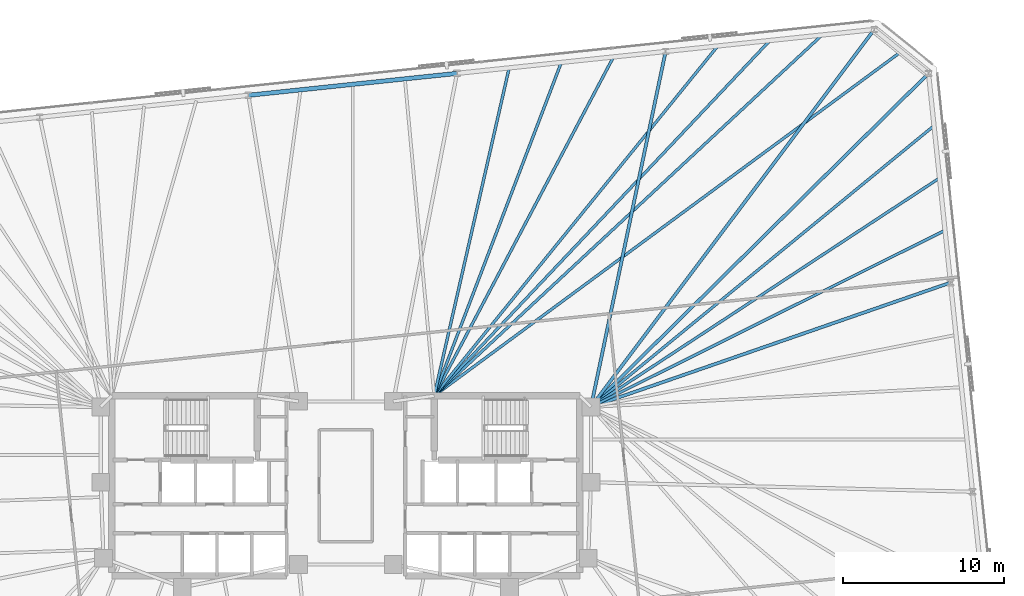
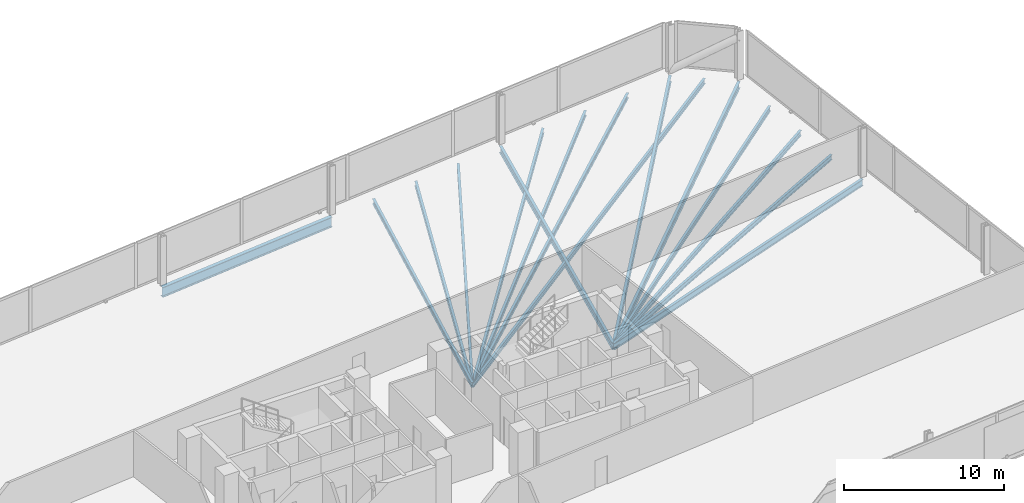
# One storey, part 10 of 17: 15 beams.
"""IFC4 building model written with IfcOpenShell, lengths in metres."""

import ifcopenshell
import ifcopenshell.guid

model = None  # the IFC model being written
_history = None  # IfcOwnerHistory: only IFC2X3 demands one
_inside = {}  # id of a spatial element -> (the spatial element, [elements in it])
_under = {}  # id of a project, library or spatial element -> (it, [spatial elements below it])
_declared = {}  # id of a project -> (the project, [libraries it declares])
_typed = {}  # id of a type object -> (the type object, [elements of that type])
_made_of = {}  # id of a material, layer set ... -> (it, [elements and type objects made of it])


def new_model(schema):
    """Start an empty IFC model of exactly this schema.

    Asked for "IFC4X3", IfcOpenShell would pick the latest addendum, in which some entities
    have other attributes; the version numbers below select the first issue.
    IFC2X3 requires an IfcOwnerHistory on every rooted entity: one is made here for all.
    """
    global model, _history
    if schema == "IFC4X3":
        model = ifcopenshell.file(schema_version=(4, 3, 0, 0))
    else:
        model = ifcopenshell.file(schema=schema)
    _inside.clear()
    _under.clear()
    _declared.clear()
    _typed.clear()
    _made_of.clear()
    _history = None
    if model.schema == "IFC2X3":
        org = make("IfcOrganization", Name="unknown")
        user = make(
            "IfcPersonAndOrganization",
            ThePerson=make("IfcPerson", FamilyName="unknown"),
            TheOrganization=org,
        )
        app = make(
            "IfcApplication",
            ApplicationDeveloper=org,
            Version="unknown",
            ApplicationFullName="unknown",
            ApplicationIdentifier="unknown",
        )
        _history = make(
            "IfcOwnerHistory",
            OwningUser=user,
            OwningApplication=app,
            ChangeAction="ADDED",
            CreationDate=0,
        )
    return model


def make(cls, **values):
    """One entity of the class cls with the attributes given. An attribute that is None is left unset."""
    return model.create_entity(
        cls, **{name: value for name, value in values.items() if value is not None}
    )


def rooted(cls, **values):
    """An entity with a GlobalId (a new one), such as an element, a storey or a relation."""
    return make(cls, GlobalId=ifcopenshell.guid.new(), OwnerHistory=_history, **values)


def si_unit(unit_type, name, prefix=None):
    """IfcSIUnit, for example si_unit("LENGTHUNIT", "METRE", prefix="MILLI")."""
    return make("IfcSIUnit", UnitType=unit_type, Prefix=prefix, Name=name)


def assignment(units):
    """IfcUnitAssignment: the units of a project."""
    return None if units is None else make("IfcUnitAssignment", Units=units)


def point(xyz):
    """IfcCartesianPoint."""
    return None if xyz is None else make("IfcCartesianPoint", Coordinates=xyz)


def direction(xyz):
    """IfcDirection."""
    return None if xyz is None else make("IfcDirection", DirectionRatios=xyz)


def frame(location, z_axis=None, x_axis=None):
    """IfcAxis2Placement3D, a coordinate frame: its origin and axes. An axis left out is left unset."""
    return make(
        "IfcAxis2Placement3D",
        Location=point(location),
        Axis=direction(z_axis),
        RefDirection=direction(x_axis),
    )


def frame_2d(location, x_axis=None):
    """IfcAxis2Placement2D, a coordinate frame in the plane: its origin and x axis."""
    return make(
        "IfcAxis2Placement2D", Location=point(location), RefDirection=direction(x_axis)
    )


def origin():
    """The frame at (0, 0, 0) with its axes left unset."""
    return frame((0.0, 0.0, 0.0))


def origin_2d():
    """The frame at (0, 0) in the plane with its x axis left unset."""
    return frame_2d((0.0, 0.0))


def place(relative_to, where):
    """IfcLocalPlacement: puts the frame where relative to a parent placement (None: the world)."""
    return make(
        "IfcLocalPlacement", PlacementRelTo=relative_to, RelativePlacement=where
    )


def context(
    kind, dimensions, precision=None, world=None, true_north=None, identifier=None
):
    """IfcGeometricRepresentationContext, for example the 3D "Model" context."""
    return make(
        "IfcGeometricRepresentationContext",
        ContextIdentifier=identifier,
        ContextType=kind,
        CoordinateSpaceDimension=dimensions,
        Precision=precision,
        WorldCoordinateSystem=world,
        TrueNorth=true_north,
    )


def subcontext(parent, identifier, kind, view, scale=None):
    """IfcGeometricRepresentationSubContext, for example "Body" below "Model"."""
    return make(
        "IfcGeometricRepresentationSubContext",
        ContextIdentifier=identifier,
        ContextType=kind,
        ParentContext=parent,
        TargetScale=scale,
        TargetView=view,
    )


def project(units=None, contexts=None):
    """IfcProject with its units and contexts."""
    return rooted(
        "IfcProject",
        Name="project",
        RepresentationContexts=contexts,
        UnitsInContext=assignment(units),
    )


def spatial(cls, under=None, at=None, **own):
    """A site, building, storey or space (cls), placed at a placement, below another one or the project."""
    s = rooted(cls, ObjectPlacement=at, **own)
    if under is not None:
        _under.setdefault(under.id(), (under, []))[1].append(s)
    return s


def profile(cls, at=None, kind="AREA", **sizes):
    """A parametric profile (cls). Its sizes go by their IFC names, for example OverallWidth=200.0."""
    return make(cls, ProfileType=kind, Position=at, **sizes)


def i_section(**sizes):
    """IfcIShapeProfileDef."""
    return profile("IfcIShapeProfileDef", **sizes)


def extrude(swept, where, along, depth):
    """IfcExtrudedAreaSolid: the profile swept, set in the frame where, extruded along a direction by depth."""
    return make(
        "IfcExtrudedAreaSolid",
        SweptArea=swept,
        Position=where,
        ExtrudedDirection=direction(along),
        Depth=depth,
    )


def shape(context_of_items, identifier, shape_type, items):
    """IfcShapeRepresentation: the items that make up one representation, for example the "Body"."""
    return make(
        "IfcShapeRepresentation",
        ContextOfItems=context_of_items,
        RepresentationIdentifier=identifier,
        RepresentationType=shape_type,
        Items=items,
    )


def material(Name=None, Category=None):
    """IfcMaterial."""
    return make("IfcMaterial", Name=Name, Category=Category)


def material_profile(
    of_material, cross_section, Name=None, Category=None, Priority=None
):
    """IfcMaterialProfile: a cross section and its material."""
    return make(
        "IfcMaterialProfile",
        Name=Name,
        Material=of_material,
        Profile=cross_section,
        Priority=Priority,
        Category=Category,
    )


def profile_set(profiles, Name=None, composite=None):
    """IfcMaterialProfileSet."""
    return make(
        "IfcMaterialProfileSet",
        Name=Name,
        MaterialProfiles=profiles,
        CompositeProfile=composite,
    )


def made_of(thing, what):
    """Note that an element or type object is made of a material, layer set ...; save() writes the relation."""
    if what is not None:
        _made_of.setdefault(what.id(), (what, []))[1].append(thing)
    return thing


def type_object(cls, material=None, **own):
    """A type object (cls), such as IfcWallType, which elements share."""
    return made_of(rooted(cls, **own), material)


def element(
    cls,
    number,
    at=None,
    inside=None,
    cuts=None,
    type_object=None,
    material=None,
    context=None,
    identifier="Body",
    shape_type=None,
    held_by="IfcProductDefinitionShape",
    body=None,
    shapes=None,
    **own,
):
    """One element of the class cls, such as IfcWall. Its Tag is "e" and its number.

    at: its placement. inside: the storey or other place that contains it. cuts: it is an
    opening in that element (IfcRelVoidsElement). A single representation is given by context,
    identifier, shape_type and body (its items); several are given by shapes. held_by: the class
    of the entity that holds the representations. save() writes the other relations.
    """
    e = rooted(cls, Tag="e%d" % number, ObjectPlacement=at, **own)
    if body is not None:
        shapes = [shape(context, identifier, shape_type, body)]
    if shapes is not None:
        e.Representation = make(held_by, Representations=shapes)
    if inside is not None:
        _inside.setdefault(inside.id(), (inside, []))[1].append(e)
    if cuts is not None:
        rooted(
            "IfcRelVoidsElement", RelatingBuildingElement=cuts, RelatedOpeningElement=e
        )
    if type_object is not None:
        _typed.setdefault(type_object.id(), (type_object, []))[1].append(e)
    return made_of(e, material)


def aggregate(whole, parts):
    """IfcRelAggregates: a whole, such as a stair, and the parts it consists of."""
    return rooted("IfcRelAggregates", RelatingObject=whole, RelatedObjects=parts)


def save(model, path):
    """Write the relations noted so far, then the file.

    IfcRelAggregates (storeys below a building ...), IfcRelContainedInSpatialStructure (elements
    in a storey), IfcRelDefinesByType, IfcRelAssociatesMaterial and IfcRelDeclares: one each for
    every whole, place, type object, material and project.
    """
    for whole, parts in _under.values():
        aggregate(whole, parts)
    for where, things in _inside.values():
        rooted(
            "IfcRelContainedInSpatialStructure",
            RelatedElements=things,
            RelatingStructure=where,
        )
    for kind, things in _typed.values():
        rooted("IfcRelDefinesByType", RelatedObjects=things, RelatingType=kind)
    for what, things in _made_of.values():
        rooted("IfcRelAssociatesMaterial", RelatedObjects=things, RelatingMaterial=what)
    for by, libraries in _declared.values():
        rooted("IfcRelDeclares", RelatingContext=by, RelatedDefinitions=libraries)
    model.write(path)


model = new_model("IFC4")

# Units and contexts
model_context = context("Model", 3, precision=1e-05, world=origin(), true_north=direction((0.0, 1.0)))
body_context = subcontext(model_context, "Body", "Model", "MODEL_VIEW")
ifc_project = project(units=[si_unit("LENGTHUNIT", "METRE"), si_unit("AREAUNIT", "SQUARE_METRE"), si_unit("VOLUMEUNIT", "CUBIC_METRE"), si_unit("PLANEANGLEUNIT", "RADIAN"), si_unit("MASSUNIT", "GRAM", prefix="KILO")], contexts=[model_context])

# Site, building, storey
site_placement = place(None, origin())
site = spatial("IfcSite", under=ifc_project, at=site_placement, CompositionType="ELEMENT")
building_placement = place(site_placement, origin())
building = spatial("IfcBuilding", under=site, at=building_placement, Name="Menara Jurai Vektor", CompositionType="ELEMENT")
storey_placement = place(building_placement, frame((0.0, 0.0, 109.60009765625)))
storey = spatial("IfcBuildingStorey", under=building, at=storey_placement, Name="L27", CompositionType="ELEMENT", Elevation=109.60009765625)

# Beams
ifc_material_1 = material(Name="Steel S355", Category="steel")
ifc_material_profile_1 = material_profile(ifc_material_1, i_section(OverallWidth=0.199951171875, OverallDepth=0.5, WebThickness=0.011962890625, FlangeThickness=0.02001953125, at=origin_2d()), Name="PG 500x200x96")
ifc_profile_set_1 = profile_set([ifc_material_profile_1], Name="Steel S355")
beam_type_1 = type_object("IfcBeamType", Name="STR-BM-500", PredefinedType="BEAM", material=ifc_profile_set_1)
beam_1_placement = place(storey_placement, frame((37.62060546875, 12.638427734375, -0.47509765625), z_axis=(-0.945053249867, -0.326916434148, 0.0), x_axis=(0.326916434148, -0.945053249867, 0.0)))
element("IfcBeam", 1, at=beam_1_placement, inside=storey, type_object=beam_type_1, Name="Radial Floor Girder L27-E3", PredefinedType="BEAM", context=body_context, shape_type="SweptSolid", body=[
    extrude(i_section(OverallWidth=0.199951171875, OverallDepth=0.5, WebThickness=0.011962890625, FlangeThickness=0.02001953125, at=origin_2d()), origin(), (0.0, 0.0, 1.0), 23.671142578125),
])
beam_2_placement = place(storey_placement, frame((36.252685546875, 25.652099609375, -0.47509765625), z_axis=(-0.711335927547, -0.702852188004, 0.0), x_axis=(0.702852188004, -0.711335927547, 0.0)))
element("IfcBeam", 2, at=beam_2_placement, inside=storey, type_object=beam_type_1, Name="Radial Floor Girder L27-E4", PredefinedType="BEAM", context=body_context, shape_type="SweptSolid", body=[
    extrude(i_section(OverallWidth=0.199951171875, OverallDepth=0.5, WebThickness=0.011962890625, FlangeThickness=0.02001953125, at=origin_2d()), origin(), (0.0, 0.0, 1.0), 29.525634765625),
])
beam_3_placement = place(storey_placement, frame((32.876220703125, 28.38623046875, -0.47509765625), z_axis=(-0.600250057552, -0.799812395758, 0.0), x_axis=(0.799812395758, -0.600250057552, 0.0)))
element("IfcBeam", 3, at=beam_3_placement, inside=storey, type_object=beam_type_1, Name="Radial Floor Girder L27-N1", PredefinedType="BEAM", context=body_context, shape_type="SweptSolid", body=[
    extrude(i_section(OverallWidth=0.199951171875, OverallDepth=0.5, WebThickness=0.011962890625, FlangeThickness=0.02001953125, at=origin_2d()), origin(), (0.0, 0.0, 1.0), 29.36474609375),
])
beam_4_placement = place(storey_placement, frame((19.896728515625, 27.02197265625, -0.47509765625), z_axis=(-0.205563576063, -0.978643763683, 0.0), x_axis=(0.978643763683, -0.205563576063, 0.0)))
element("IfcBeam", 4, at=beam_4_placement, inside=storey, type_object=beam_type_1, Name="Radial Floor Girder L27-N2", PredefinedType="BEAM", context=body_context, shape_type="SweptSolid", body=[
    extrude(i_section(OverallWidth=0.199951171875, OverallDepth=0.5, WebThickness=0.011962890625, FlangeThickness=0.02001953125, at=origin_2d()), origin(), (0.0, 0.0, 1.0), 22.604736328125),
])
ifc_material_profile_2 = material_profile(ifc_material_1, i_section(OverallWidth=0.175048828125, OverallDepth=0.3798828125, WebThickness=0.010009765625, FlangeThickness=0.014892578125, at=origin_2d()), Name="PG 380x175x58")
ifc_profile_set_2 = profile_set([ifc_material_profile_2], Name="Steel S355")
beam_type_2 = type_object("IfcBeamType", Name="STR-JS-380", PredefinedType="JOIST", material=ifc_profile_set_2)
beam_5_placement = place(storey_placement, frame((37.278564453125, 15.891845703125, -0.4150390625), z_axis=(-0.894789854106, -0.446487532849, 0.0), x_axis=(0.446487532849, -0.894789854106, 0.0)))
element("IfcBeam", 5, at=beam_5_placement, inside=storey, type_object=beam_type_2, Name="Radial Secondary Floor Joist L27-JS16", PredefinedType="JOIST", context=body_context, shape_type="SweptSolid", body=[
    extrude(i_section(OverallWidth=0.175048828125, OverallDepth=0.3798828125, WebThickness=0.010009765625, FlangeThickness=0.014892578125, at=origin_2d()), origin(), (0.0, 0.0, 1.0), 24.61865234375),
])
beam_6_placement = place(storey_placement, frame((36.936767578125, 19.145263671875, -0.4150390625), z_axis=(-0.835810585743, -0.549017909326, 0.0), x_axis=(0.549017909326, -0.835810585743, 0.0)))
element("IfcBeam", 6, at=beam_6_placement, inside=storey, type_object=beam_type_2, Name="Radial Secondary Floor Joist L27-JS17", PredefinedType="JOIST", context=body_context, shape_type="SweptSolid", body=[
    extrude(i_section(OverallWidth=0.175048828125, OverallDepth=0.3798828125, WebThickness=0.010009765625, FlangeThickness=0.014892578125, at=origin_2d()), origin(), (0.0, 0.0, 1.0), 25.947021484375),
])
beam_7_placement = place(storey_placement, frame((36.5947265625, 22.398681640625, -0.4150390625), z_axis=(-0.773337004811, -0.63399517111, 0.0), x_axis=(0.63399517111, -0.773337004811, 0.0)))
element("IfcBeam", 7, at=beam_7_placement, inside=storey, type_object=beam_type_2, Name="Radial Secondary Floor Joist L27-JS18", PredefinedType="JOIST", context=body_context, shape_type="SweptSolid", body=[
    extrude(i_section(OverallWidth=0.175048828125, OverallDepth=0.3798828125, WebThickness=0.010009765625, FlangeThickness=0.014892578125, at=origin_2d()), origin(), (0.0, 0.0, 1.0), 27.600830078125),
])
beam_8_placement = place(storey_placement, frame((34.564453125, 27.01904296875, -0.4150390625), z_axis=(-0.805015724179, -0.593253473504, 0.0), x_axis=(0.593253473504, -0.805015724179, 0.0)))
element("IfcBeam", 8, at=beam_8_placement, inside=storey, type_object=beam_type_2, Name="Radial Secondary Floor Joist L27-JS19", PredefinedType="JOIST", context=body_context, shape_type="SweptSolid", body=[
    extrude(i_section(OverallWidth=0.175048828125, OverallDepth=0.3798828125, WebThickness=0.010009765625, FlangeThickness=0.014892578125, at=origin_2d()), origin(), (0.0, 0.0, 1.0), 36.104248046875),
])
beam_9_placement = place(storey_placement, frame((29.63134765625, 28.045166015625, -0.4150390625), z_axis=(-0.732227546694, -0.681060070671, 0.0), x_axis=(0.681060070671, -0.732227546694, 0.0)))
element("IfcBeam", 9, at=beam_9_placement, inside=storey, type_object=beam_type_2, Name="Radial Secondary Floor Joist L27-JS20", PredefinedType="JOIST", context=body_context, shape_type="SweptSolid", body=[
    extrude(i_section(OverallWidth=0.175048828125, OverallDepth=0.3798828125, WebThickness=0.010009765625, FlangeThickness=0.014892578125, at=origin_2d()), origin(), (0.0, 0.0, 1.0), 32.9560546875),
])
beam_10_placement = place(storey_placement, frame((26.386474609375, 27.7041015625, -0.4150390625), z_axis=(-0.686805497462, -0.726841254096, 0.0), x_axis=(0.726841254096, -0.686805497462, 0.0)))
element("IfcBeam", 10, at=beam_10_placement, inside=storey, type_object=beam_type_2, Name="Radial Secondary Floor Joist L27-JS21", PredefinedType="JOIST", context=body_context, shape_type="SweptSolid", body=[
    extrude(i_section(OverallWidth=0.175048828125, OverallDepth=0.3798828125, WebThickness=0.010009765625, FlangeThickness=0.014892578125, at=origin_2d()), origin(), (0.0, 0.0, 1.0), 30.4111328125),
])
beam_11_placement = place(storey_placement, frame((23.1416015625, 27.363037109375, -0.4150390625), z_axis=(-0.629715269624, -0.776826028917, 0.0), x_axis=(0.776826028917, -0.629715269624, 0.0)))
element("IfcBeam", 11, at=beam_11_placement, inside=storey, type_object=beam_type_2, Name="Radial Secondary Floor Joist L27-JS22", PredefinedType="JOIST", context=body_context, shape_type="SweptSolid", body=[
    extrude(i_section(OverallWidth=0.175048828125, OverallDepth=0.3798828125, WebThickness=0.010009765625, FlangeThickness=0.014892578125, at=origin_2d()), origin(), (0.0, 0.0, 1.0), 28.01513671875),
])
beam_12_placement = place(storey_placement, frame((16.651611328125, 26.680908203125, -0.4150390625), z_axis=(-0.467598899237, -0.883940761268, 0.0), x_axis=(0.883940761268, -0.467598899237, 0.0)))
element("IfcBeam", 12, at=beam_12_placement, inside=storey, type_object=beam_type_2, Name="Radial Secondary Floor Joist L27-JS23", PredefinedType="JOIST", context=body_context, shape_type="SweptSolid", body=[
    extrude(i_section(OverallWidth=0.175048828125, OverallDepth=0.3798828125, WebThickness=0.010009765625, FlangeThickness=0.014892578125, at=origin_2d()), origin(), (0.0, 0.0, 1.0), 23.8486328125),
])
beam_13_placement = place(storey_placement, frame((13.40673828125, 26.33984375, -0.4150390625), z_axis=(-0.3562267616, -0.934399536772, 0.0), x_axis=(0.934399536772, -0.3562267616, 0.0)))
element("IfcBeam", 13, at=beam_13_placement, inside=storey, type_object=beam_type_2, Name="Radial Secondary Floor Joist L27-JS24", PredefinedType="JOIST", context=body_context, shape_type="SweptSolid", body=[
    extrude(i_section(OverallWidth=0.175048828125, OverallDepth=0.3798828125, WebThickness=0.010009765625, FlangeThickness=0.014892578125, at=origin_2d()), origin(), (0.0, 0.0, 1.0), 22.19580078125),
])
beam_14_placement = place(storey_placement, frame((10.161865234375, 25.998779296875, -0.4150390625), z_axis=(-0.222793437271, -0.974865675008, 0.0), x_axis=(0.974865675008, -0.222793437271, 0.0)))
element("IfcBeam", 14, at=beam_14_placement, inside=storey, type_object=beam_type_2, Name="Radial Secondary Floor Joist L27-JS25", PredefinedType="JOIST", context=body_context, shape_type="SweptSolid", body=[
    extrude(i_section(OverallWidth=0.175048828125, OverallDepth=0.3798828125, WebThickness=0.010009765625, FlangeThickness=0.014892578125, at=origin_2d()), origin(), (0.0, 0.0, 1.0), 20.924560546875),
])
ifc_material_2 = material(Name="Steel S460", Category="steel")
ifc_material_profile_3 = material_profile(ifc_material_2, i_section(OverallWidth=0.26806640625, OverallDepth=0.77001953125, WebThickness=0.01611328125, FlangeThickness=0.02490234375, FilletRadius=0.01708984375, at=origin_2d()), Name="UKB 762x267x197")
ifc_profile_set_3 = profile_set([ifc_material_profile_3], Name="Steel S460")
beam_type_3 = type_object("IfcBeamType", Name="STR-SP-762", PredefinedType="SPANDREL", material=ifc_profile_set_3)
beam_15_placement = place(storey_placement, frame((6.9169921875, 25.65771484375, -0.610107421875), z_axis=(-0.994521431679, -0.104532874882, 0.0), x_axis=(0.104532874882, -0.994521431679, 0.0)))
element("IfcBeam", 15, at=beam_15_placement, inside=storey, type_object=beam_type_3, Name="Exoskeleton Spandrel Beam L27-13", PredefinedType="SPANDREL", context=body_context, shape_type="SweptSolid", body=[
    extrude(i_section(OverallWidth=0.26806640625, OverallDepth=0.77001953125, WebThickness=0.01611328125, FlangeThickness=0.02490234375, FilletRadius=0.01708984375, at=origin_2d()), origin(), (0.0, 0.0, 1.0), 13.051025390625),
])

save(model, "model.ifc")
